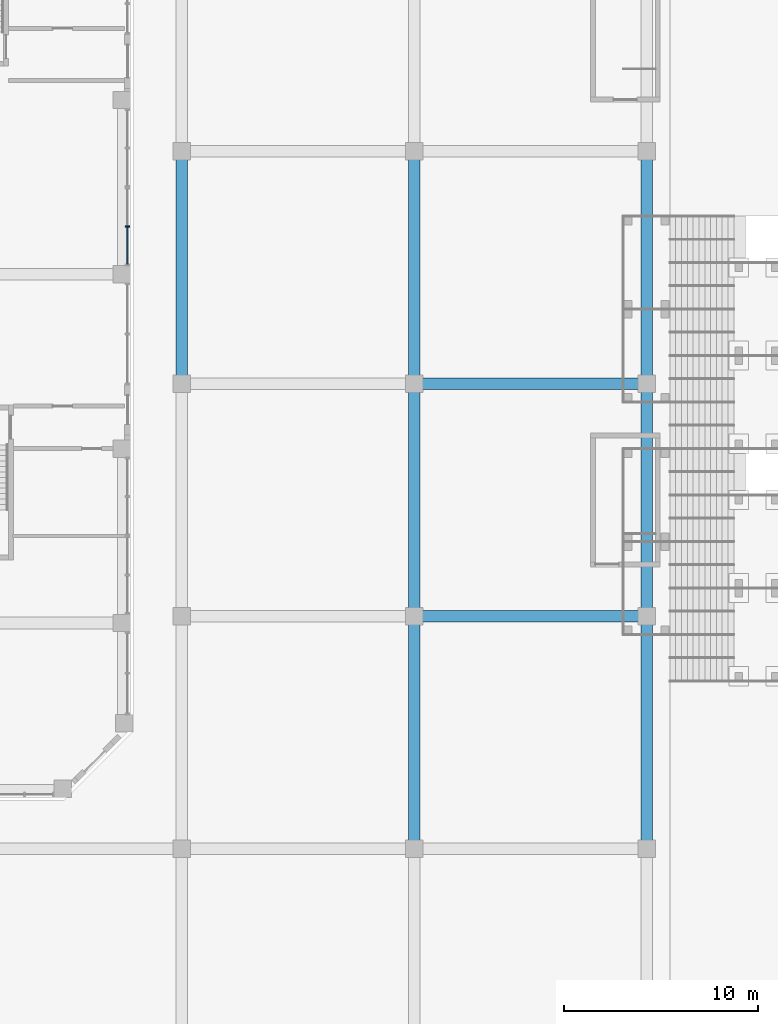
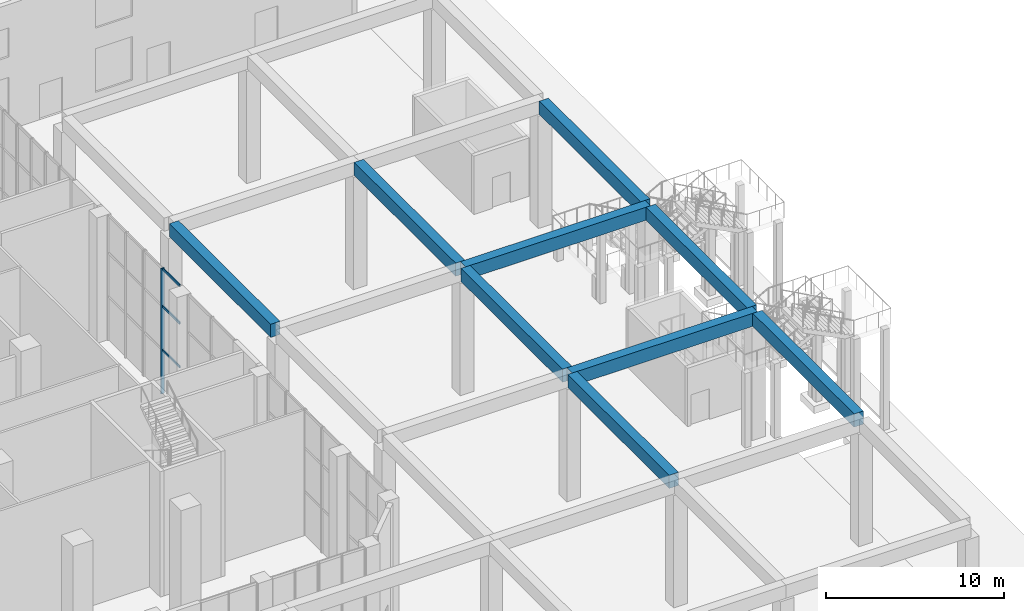
# One storey, part 9 of 43: 9 beams, 4 members, 1 element without a shape of its own.
"""IFC4 building model written with IfcOpenShell, lengths in metres."""

from ifc_helpers import new_model, si_unit, direction, frame, origin, origin_2d, place, context, subcontext, project, spatial, rectangle, extrude, source, transform, mapped, material, material_profile, profile_set, type_object, element, aggregate, save


model = new_model("IFC4")

# Units and contexts
model_context = context("Model", 3, precision=1e-05, world=origin(), true_north=direction((0.0, 1.0)))
body_context = subcontext(model_context, "Body", "Model", "MODEL_VIEW")
ifc_project = project(units=[si_unit("LENGTHUNIT", "METRE"), si_unit("AREAUNIT", "SQUARE_METRE"), si_unit("VOLUMEUNIT", "CUBIC_METRE"), si_unit("PLANEANGLEUNIT", "RADIAN"), si_unit("MASSUNIT", "GRAM", prefix="KILO")], contexts=[model_context])

# Site, building, storey
site_placement = place(None, origin())
site = spatial("IfcSite", under=ifc_project, at=site_placement, CompositionType="ELEMENT")
building_placement = place(site_placement, origin())
building = spatial("IfcBuilding", under=site, at=building_placement, Name="Kilnfold Tower and Market Hall", CompositionType="ELEMENT")
storey_placement = place(building_placement, origin())
storey = spatial("IfcBuildingStorey", under=building, at=storey_placement, Name="L00", CompositionType="ELEMENT", Elevation=0.0)

# Beams
ifc_material_1 = material(Name="Concrete C40/50", Category="concrete")
ifc_material_profile_1 = material_profile(ifc_material_1, rectangle(XDim=0.60009765625, YDim=0.89990234375, at=origin_2d()), Name="RC 600x900")
ifc_profile_set_1 = profile_set([ifc_material_profile_1], Name="Concrete C40/50")
beam_type = type_object("IfcBeamType", Name="DECK GIRDER 600X900", PredefinedType="BEAM", material=ifc_profile_set_1)
shared_shape_1 = source(origin(), body_context, "Body", "SweptSolid", [
    extrude(rectangle(XDim=0.60009765625, YDim=0.89990234375, at=origin_2d()), origin(), (0.0, 0.0, 1.0), 12.0),
])
for number, where, z_axis, x_axis, name in (
    (1, (42.64990234375, -18.64990234375, 8.14990234375), (1.0, 0.0, 0.0), (0.0, 1.0, 0.0), "Deck girder DG1-14"),
    (2, (42.64990234375, -6.64990234375, 8.14990234375), (1.0, 0.0, 0.0), (0.0, 1.0, 0.0), "Deck girder DG1-16"),
):
    element("IfcBeam", number, at=place(storey_placement, frame(where, z_axis=z_axis, x_axis=x_axis)), inside=storey, type_object=beam_type, Name=name, PredefinedType="BEAM", context=body_context, shape_type="MappedRepresentation", body=[
        mapped(shared_shape_1, transform((0.0, 0.0, 0.0))),
    ])
shared_shape_2 = source(origin(), body_context, "Body", "SweptSolid", [
    extrude(rectangle(XDim=0.60009765625, YDim=0.89990234375, at=origin_2d()), origin(), (0.0, 0.0, 1.0), 11.400146484375),
])
for number, where, z_axis, x_axis, name in (
    (3, (30.64990234375, -6.35009765625, 8.14990234375), (0.0, 1.0, 0.0), (-1.0, 0.0, 0.0), "Deck girder DG1-28"),
    (4, (42.64990234375, -30.35009765625, 8.14990234375), (0.0, 1.0, 0.0), (-1.0, 0.0, 0.0), "Deck girder DG1-31"),
    (5, (42.64990234375, -18.35009765625, 8.14990234375), (0.0, 1.0, 0.0), (-1.0, 0.0, 0.0), "Deck girder DG1-32"),
    (6, (42.64990234375, -6.35009765625, 8.14990234375), (0.0, 1.0, 0.0), (-1.0, 0.0, 0.0), "Deck girder DG1-33"),
    (7, (54.64990234375, -30.35009765625, 8.14990234375), (0.0, 1.0, 0.0), (-1.0, 0.0, 0.0), "Deck girder DG1-36"),
    (8, (54.64990234375, -18.35009765625, 8.14990234375), (0.0, 1.0, 0.0), (-1.0, 0.0, 0.0), "Deck girder DG1-37"),
    (9, (54.64990234375, -6.35009765625, 8.14990234375), (0.0, 1.0, 0.0), (-1.0, 0.0, 0.0), "Deck girder DG1-38"),
):
    element("IfcBeam", number, at=place(storey_placement, frame(where, z_axis=z_axis, x_axis=x_axis)), inside=storey, type_object=beam_type, Name=name, PredefinedType="BEAM", context=body_context, shape_type="MappedRepresentation", body=[
        mapped(shared_shape_2, transform((0.0, 0.0, 0.0))),
    ])

# Curtain wall, members
ifc_material_2 = material(Name="Aluminium and double glazing", Category="aluminium")
curtain_wall_type = type_object("IfcCurtainWallType", Name="CW BASE PODIUM GLAZING", PredefinedType="NOTDEFINED", material=ifc_material_2)
curtain_wall_placement = place(storey_placement, origin())
curtain_wall = element("IfcCurtainWall", 10, at=curtain_wall_placement, inside=storey, type_object=curtain_wall_type, Name="Curtain wall CW4 L00 E", PredefinedType="NOTDEFINED")
ifc_material_3 = material(Name="Aluminium", Category="aluminium")
ifc_material_profile_2 = material_profile(ifc_material_3, rectangle(XDim=0.070068359375, YDim=0.219970703125, at=origin_2d()), Name="MULLION 70x220")
ifc_profile_set_2 = profile_set([ifc_material_profile_2], Name="Aluminium")
member_type_1 = type_object("IfcMemberType", Name="MULLION 70X220", PredefinedType="MULLION", material=ifc_profile_set_2)
shared_shape_3 = source(origin(), body_context, "Body", "SweptSolid", [
    extrude(rectangle(XDim=0.070068359375, YDim=0.219970703125, at=origin_2d()), origin(), (0.0, 0.0, 1.0), 8.60009765625),
])
member_1_placement = place(storey_placement, frame((27.85009765625, 1.47509765625, 0.0), z_axis=(0.0, 0.0, 1.0), x_axis=(0.0, 1.0, 0.0)))
member_1 = element("IfcMember", 11, at=member_1_placement, type_object=member_type_1, Name="CW4 mullion 2", PredefinedType="MULLION", context=body_context, shape_type="MappedRepresentation", body=[
    mapped(shared_shape_3, transform((0.0, 0.0, 0.0))),
])
ifc_material_4 = material(Name="Aluminium", Category="aluminium")
ifc_material_profile_3 = material_profile(ifc_material_4, rectangle(XDim=0.070068359375, YDim=0.159912109375, at=origin_2d()), Name="TRANSOM 70x160")
ifc_profile_set_3 = profile_set([ifc_material_profile_3], Name="Aluminium")
member_type_2 = type_object("IfcMemberType", Name="TRANSOM 70X160", PredefinedType="USERDEFINED", material=ifc_profile_set_3)
shared_shape_4 = source(origin(), body_context, "Body", "SweptSolid", [
    extrude(rectangle(XDim=0.070068359375, YDim=0.159912109375, at=origin_2d()), origin(), (0.0, 0.0, 1.0), 1.919921875),
])
member_2_placement = place(storey_placement, frame((27.85009765625, -0.47998046875, 3.0), z_axis=(0.0, 1.0, 0.0), x_axis=(-1.0, 0.0, 0.0)))
member_2 = element("IfcMember", 12, at=member_2_placement, type_object=member_type_2, Name="CW4 transom 1.2", ObjectType="TRANSOM", PredefinedType="USERDEFINED", context=body_context, shape_type="MappedRepresentation", body=[
    mapped(shared_shape_4, transform((0.0, 0.0, 0.0))),
])
member_3_placement = place(storey_placement, frame((27.85009765625, -0.47998046875, 6.0), z_axis=(0.0, 1.0, 0.0), x_axis=(-1.0, 0.0, 0.0)))
member_3 = element("IfcMember", 13, at=member_3_placement, type_object=member_type_2, Name="CW4 transom 1.3", ObjectType="TRANSOM", PredefinedType="USERDEFINED", context=body_context, shape_type="MappedRepresentation", body=[
    mapped(shared_shape_4, transform((0.0, 0.0, 0.0))),
])
member_4_placement = place(storey_placement, frame((27.85009765625, -0.47998046875, 8.56494140625), z_axis=(0.0, 1.0, 0.0), x_axis=(-1.0, 0.0, 0.0)))
member_4 = element("IfcMember", 14, at=member_4_placement, type_object=member_type_2, Name="CW4 transom 1.4", ObjectType="TRANSOM", PredefinedType="USERDEFINED", context=body_context, shape_type="MappedRepresentation", body=[
    mapped(shared_shape_4, transform((0.0, 0.0, 0.0))),
])
aggregate(curtain_wall, [member_1, member_2, member_3, member_4])

save(model, "model.ifc")
